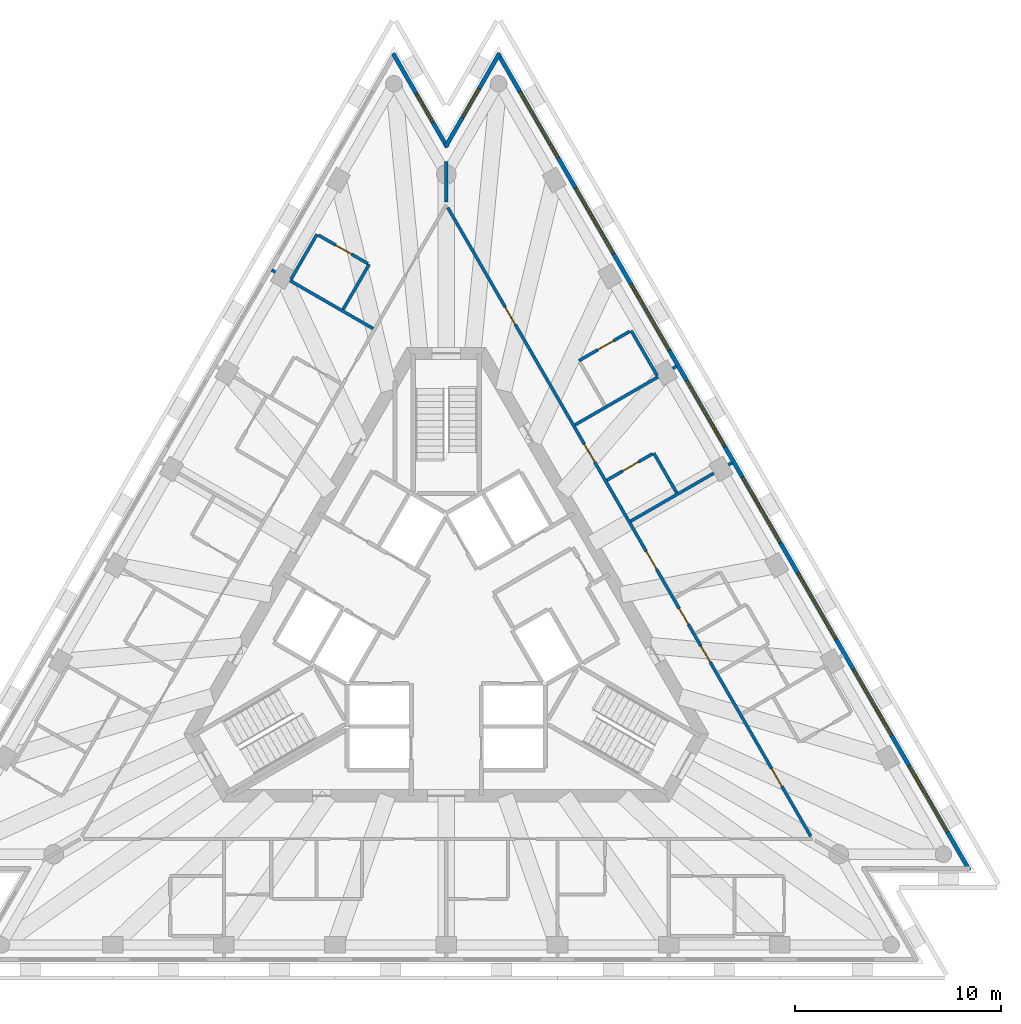
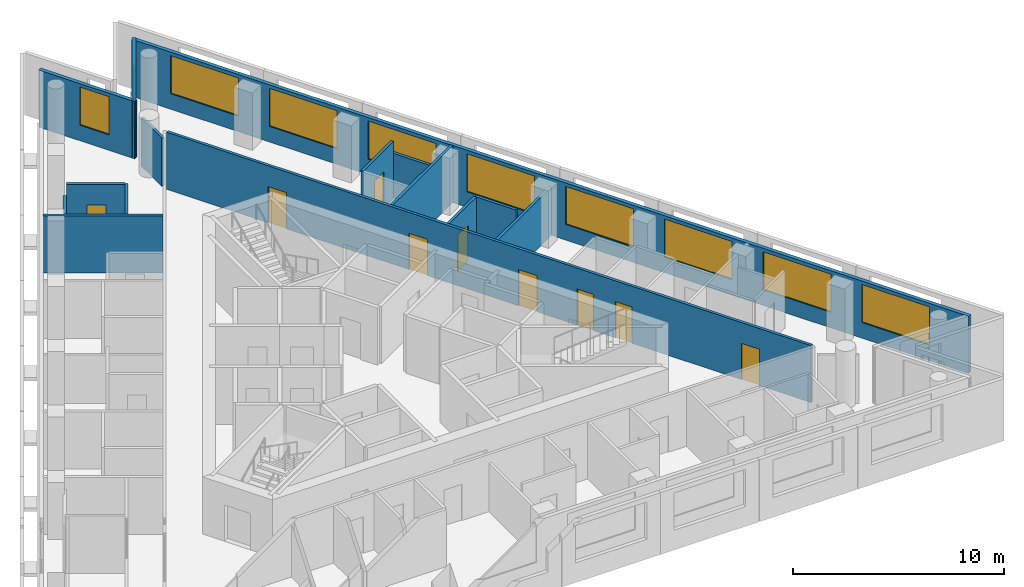
# One storey, part 7 of 10: 15 walls, 10 windows, 9 doors, 19 openings.
"""IFC4 building model written with IfcOpenShell, lengths in metres."""

from ifc_helpers import new_model, si_unit, direction, frame, frame_2d, origin, place, context, subcontext, project, spatial, rectangle, extrude, material, layer, layer_set, layer_usage, type_object, element, fill, save


model = new_model("IFC4")

# Units and contexts
model_context = context("Model", 3, precision=1e-05, world=origin(), true_north=direction((0.0, 1.0)))
body_context = subcontext(model_context, "Body", "Model", "MODEL_VIEW")
ifc_project = project(units=[si_unit("LENGTHUNIT", "METRE"), si_unit("AREAUNIT", "SQUARE_METRE"), si_unit("VOLUMEUNIT", "CUBIC_METRE"), si_unit("PLANEANGLEUNIT", "RADIAN"), si_unit("MASSUNIT", "GRAM", prefix="KILO")], contexts=[model_context])

# Site, building, storey
site_placement = place(None, origin())
site = spatial("IfcSite", under=ifc_project, at=site_placement, CompositionType="ELEMENT")
building_placement = place(site_placement, origin())
building = spatial("IfcBuilding", under=site, at=building_placement, Name="Triada Interchange Tower", CompositionType="ELEMENT")
storey_placement = place(building_placement, frame((0.0, 0.0, 289.89990234375)))
storey = spatial("IfcBuildingStorey", under=building, at=storey_placement, Name="L68", CompositionType="ELEMENT", Elevation=289.89990234375)

# Wall, openings, windows
ifc_material_1 = material(Name="Cement board")
ifc_layer_1 = layer(ifc_material_1, 0.02001953125, Name="Cement board cladding")
ifc_material_2 = material(Name="Sheathing board")
ifc_layer_2 = layer(ifc_material_2, 0.014892578125, Name="Sheathing board")
ifc_material_3 = material(Name="Mineral wool")
ifc_layer_3 = layer(ifc_material_3, 0.14990234375, Name="Mineral wool between steel studs")
ifc_material_4 = material(Name="Gypsum board")
ifc_layer_4 = layer(ifc_material_4, 0.014892578125, Name="Plasterboard lining")
ifc_layer_set_1 = layer_set([ifc_layer_1, ifc_layer_2, ifc_layer_3, ifc_layer_4], Name="External wall 200")
ifc_layer_usage = layer_usage(ifc_layer_set_1, "AXIS2", "POSITIVE", -0.10009765625)
wall_type_1 = type_object("IfcWallType", Name="External wall 200", PredefinedType="ELEMENTEDWALL", material=ifc_layer_set_1)
wall_1_placement = place(storey_placement, frame((25.375, -11.77001953125, 0.0), z_axis=(0.0, 0.0, 1.0), x_axis=(-0.500008134474, 0.866020707292, 0.0)))
wall_1 = element("IfcWall", 1, at=wall_1_placement, inside=storey, type_object=wall_type_1, material=ifc_layer_usage, Name="External wall L68 NE", PredefinedType="ELEMENTEDWALL", context=body_context, shape_type="SweptSolid", body=[
    extrude(rectangle(XDim=45.741455078125, YDim=0.199951171875, at=frame_2d((22.87060546875, 0.0))), origin(), (0.0, 0.0, 1.0), 3.300048828125),
])
opening_1_placement = place(wall_1_placement, frame((2.14990234375, 0.0, 0.89990234375)))
opening_1 = element("IfcOpeningElement", 2, at=opening_1_placement, cuts=wall_1, Name="Opening WD21", PredefinedType="OPENING", context=body_context, shape_type="SweptSolid", body=[
    extrude(rectangle(XDim=3.699951171875, YDim=2.199951171875, at=frame_2d((1.85009765625, 1.10009765625))), frame((0.0, 0.10986328125, 0.0), z_axis=(0.0, -1.0, 0.0), x_axis=(1.0, 0.0, 0.0)), (0.0, 0.0, 1.0), 0.219970703125),
])
opening_2_placement = place(wall_1_placement, frame((7.5439453125, 0.0, 0.89990234375)))
opening_2 = element("IfcOpeningElement", 3, at=opening_2_placement, cuts=wall_1, Name="Opening WD22", PredefinedType="OPENING", context=body_context, shape_type="SweptSolid", body=[
    extrude(rectangle(XDim=3.699951171875, YDim=2.199951171875, at=frame_2d((1.85009765625, 1.10009765625))), frame((0.0, 0.10986328125, 0.0), z_axis=(0.0, -1.0, 0.0), x_axis=(1.0, 0.0, 0.0)), (0.0, 0.0, 1.0), 0.219970703125),
])
opening_3_placement = place(wall_1_placement, frame((12.93896484375, 0.0, 0.89990234375)))
opening_3 = element("IfcOpeningElement", 4, at=opening_3_placement, cuts=wall_1, Name="Opening WD23", PredefinedType="OPENING", context=body_context, shape_type="SweptSolid", body=[
    extrude(rectangle(XDim=3.699951171875, YDim=2.199951171875, at=frame_2d((1.85009765625, 1.10009765625))), frame((0.0, 0.10986328125, 0.0), z_axis=(0.0, -1.0, 0.0), x_axis=(1.0, 0.0, 0.0)), (0.0, 0.0, 1.0), 0.219970703125),
])
opening_4_placement = place(wall_1_placement, frame((18.3330078125, 0.0, 0.89990234375)))
opening_4 = element("IfcOpeningElement", 5, at=opening_4_placement, cuts=wall_1, Name="Opening WD24", PredefinedType="OPENING", context=body_context, shape_type="SweptSolid", body=[
    extrude(rectangle(XDim=3.699951171875, YDim=2.199951171875, at=frame_2d((1.85009765625, 1.10009765625))), frame((0.0, 0.10986328125, 0.0), z_axis=(0.0, -1.0, 0.0), x_axis=(1.0, 0.0, 0.0)), (0.0, 0.0, 1.0), 0.219970703125),
])
opening_5_placement = place(wall_1_placement, frame((23.72802734375, 0.0, 0.89990234375)))
opening_5 = element("IfcOpeningElement", 6, at=opening_5_placement, cuts=wall_1, Name="Opening WD25", PredefinedType="OPENING", context=body_context, shape_type="SweptSolid", body=[
    extrude(rectangle(XDim=3.699951171875, YDim=2.199951171875, at=frame_2d((1.85009765625, 1.10009765625))), frame((0.0, 0.10986328125, 0.0), z_axis=(0.0, -1.0, 0.0), x_axis=(1.0, 0.0, 0.0)), (0.0, 0.0, 1.0), 0.219970703125),
])
opening_6_placement = place(wall_1_placement, frame((29.1220703125, 0.0, 0.89990234375)))
opening_6 = element("IfcOpeningElement", 7, at=opening_6_placement, cuts=wall_1, Name="Opening WD26", PredefinedType="OPENING", context=body_context, shape_type="SweptSolid", body=[
    extrude(rectangle(XDim=3.699951171875, YDim=2.199951171875, at=frame_2d((1.85009765625, 1.10009765625))), frame((0.0, 0.10986328125, 0.0), z_axis=(0.0, -1.0, 0.0), x_axis=(1.0, 0.0, 0.0)), (0.0, 0.0, 1.0), 0.219970703125),
])
opening_7_placement = place(wall_1_placement, frame((34.51708984375, 0.0, 0.89990234375)))
opening_7 = element("IfcOpeningElement", 8, at=opening_7_placement, cuts=wall_1, Name="Opening WD27", PredefinedType="OPENING", context=body_context, shape_type="SweptSolid", body=[
    extrude(rectangle(XDim=3.699951171875, YDim=2.199951171875, at=frame_2d((1.85009765625, 1.10009765625))), frame((0.0, 0.10986328125, 0.0), z_axis=(0.0, -1.0, 0.0), x_axis=(1.0, 0.0, 0.0)), (0.0, 0.0, 1.0), 0.219970703125),
])
opening_8_placement = place(wall_1_placement, frame((39.910888671875, 0.0, 0.89990234375)))
opening_8 = element("IfcOpeningElement", 9, at=opening_8_placement, cuts=wall_1, Name="Opening WD28", PredefinedType="OPENING", context=body_context, shape_type="SweptSolid", body=[
    extrude(rectangle(XDim=3.699951171875, YDim=2.199951171875, at=frame_2d((1.85009765625, 1.10009765625))), frame((0.0, 0.10986328125, 0.0), z_axis=(0.0, -1.0, 0.0), x_axis=(1.0, 0.0, 0.0)), (0.0, 0.0, 1.0), 0.219970703125),
])
ifc_material_5 = material(Name="Double glazed aluminium window", Category="aluminium")
window_type_1 = type_object("IfcWindowType", Name="Ribbon window D face", PartitioningType="SINGLE_PANEL", PredefinedType="WINDOW", material=ifc_material_5)
window_1_placement = place(opening_1_placement, origin())
window_1 = element("IfcWindow", 10, at=window_1_placement, inside=storey, type_object=window_type_1, Name="Window L68 NE 1", OverallHeight=2.199951171875, OverallWidth=3.699951171875, PartitioningType="SINGLE_PANEL", PredefinedType="WINDOW", context=body_context, shape_type="SweptSolid", body=[
    extrude(rectangle(XDim=3.699951171875, YDim=2.199951171875, at=frame_2d((1.85009765625, 1.10009765625))), frame((0.0, 0.030029296875, 0.0), z_axis=(0.0, -1.0, 0.0), x_axis=(1.0, 0.0, 0.0)), (0.0, 0.0, 1.0), 0.06005859375),
])
fill(opening_1, window_1)
window_2_placement = place(opening_2_placement, origin())
window_2 = element("IfcWindow", 11, at=window_2_placement, inside=storey, type_object=window_type_1, Name="Window L68 NE 2", OverallHeight=2.199951171875, OverallWidth=3.699951171875, PartitioningType="SINGLE_PANEL", PredefinedType="WINDOW", context=body_context, shape_type="SweptSolid", body=[
    extrude(rectangle(XDim=3.699951171875, YDim=2.199951171875, at=frame_2d((1.85009765625, 1.10009765625))), frame((0.0, 0.030029296875, 0.0), z_axis=(0.0, -1.0, 0.0), x_axis=(1.0, 0.0, 0.0)), (0.0, 0.0, 1.0), 0.06005859375),
])
fill(opening_2, window_2)
window_3_placement = place(opening_3_placement, origin())
window_3 = element("IfcWindow", 12, at=window_3_placement, inside=storey, type_object=window_type_1, Name="Window L68 NE 3", OverallHeight=2.199951171875, OverallWidth=3.699951171875, PartitioningType="SINGLE_PANEL", PredefinedType="WINDOW", context=body_context, shape_type="SweptSolid", body=[
    extrude(rectangle(XDim=3.699951171875, YDim=2.199951171875, at=frame_2d((1.85009765625, 1.10009765625))), frame((0.0, 0.030029296875, 0.0), z_axis=(0.0, -1.0, 0.0), x_axis=(1.0, 0.0, 0.0)), (0.0, 0.0, 1.0), 0.06005859375),
])
fill(opening_3, window_3)
window_4_placement = place(opening_4_placement, origin())
window_4 = element("IfcWindow", 13, at=window_4_placement, inside=storey, type_object=window_type_1, Name="Window L68 NE 4", OverallHeight=2.199951171875, OverallWidth=3.699951171875, PartitioningType="SINGLE_PANEL", PredefinedType="WINDOW", context=body_context, shape_type="SweptSolid", body=[
    extrude(rectangle(XDim=3.699951171875, YDim=2.199951171875, at=frame_2d((1.85009765625, 1.10009765625))), frame((0.0, 0.030029296875, 0.0), z_axis=(0.0, -1.0, 0.0), x_axis=(1.0, 0.0, 0.0)), (0.0, 0.0, 1.0), 0.06005859375),
])
fill(opening_4, window_4)
window_5_placement = place(opening_5_placement, origin())
window_5 = element("IfcWindow", 14, at=window_5_placement, inside=storey, type_object=window_type_1, Name="Window L68 NE 5", OverallHeight=2.199951171875, OverallWidth=3.699951171875, PartitioningType="SINGLE_PANEL", PredefinedType="WINDOW", context=body_context, shape_type="SweptSolid", body=[
    extrude(rectangle(XDim=3.699951171875, YDim=2.199951171875, at=frame_2d((1.85009765625, 1.10009765625))), frame((0.0, 0.030029296875, 0.0), z_axis=(0.0, -1.0, 0.0), x_axis=(1.0, 0.0, 0.0)), (0.0, 0.0, 1.0), 0.06005859375),
])
fill(opening_5, window_5)
window_6_placement = place(opening_6_placement, origin())
window_6 = element("IfcWindow", 15, at=window_6_placement, inside=storey, type_object=window_type_1, Name="Window L68 NE 6", OverallHeight=2.199951171875, OverallWidth=3.699951171875, PartitioningType="SINGLE_PANEL", PredefinedType="WINDOW", context=body_context, shape_type="SweptSolid", body=[
    extrude(rectangle(XDim=3.699951171875, YDim=2.199951171875, at=frame_2d((1.85009765625, 1.10009765625))), frame((0.0, 0.030029296875, 0.0), z_axis=(0.0, -1.0, 0.0), x_axis=(1.0, 0.0, 0.0)), (0.0, 0.0, 1.0), 0.06005859375),
])
fill(opening_6, window_6)
window_7_placement = place(opening_7_placement, origin())
window_7 = element("IfcWindow", 16, at=window_7_placement, inside=storey, type_object=window_type_1, Name="Window L68 NE 7", OverallHeight=2.199951171875, OverallWidth=3.699951171875, PartitioningType="SINGLE_PANEL", PredefinedType="WINDOW", context=body_context, shape_type="SweptSolid", body=[
    extrude(rectangle(XDim=3.699951171875, YDim=2.199951171875, at=frame_2d((1.85009765625, 1.10009765625))), frame((0.0, 0.030029296875, 0.0), z_axis=(0.0, -1.0, 0.0), x_axis=(1.0, 0.0, 0.0)), (0.0, 0.0, 1.0), 0.06005859375),
])
fill(opening_7, window_7)
window_8_placement = place(opening_8_placement, origin())
window_8 = element("IfcWindow", 17, at=window_8_placement, inside=storey, type_object=window_type_1, Name="Window L68 NE 8", OverallHeight=2.199951171875, OverallWidth=3.699951171875, PartitioningType="SINGLE_PANEL", PredefinedType="WINDOW", context=body_context, shape_type="SweptSolid", body=[
    extrude(rectangle(XDim=3.699951171875, YDim=2.199951171875, at=frame_2d((1.85009765625, 1.10009765625))), frame((0.0, 0.030029296875, 0.0), z_axis=(0.0, -1.0, 0.0), x_axis=(1.0, 0.0, 0.0)), (0.0, 0.0, 1.0), 0.06005859375),
])
fill(opening_8, window_8)

# Wall, opening, window
wall_2_placement = place(storey_placement, frame((2.583984375, 27.860107421875, 0.0), z_axis=(0.0, 0.0, 1.0), x_axis=(-0.499832707108, -0.866121968839, 0.0)))
wall_2 = element("IfcWall", 18, at=wall_2_placement, inside=storey, type_object=wall_type_1, material=ifc_layer_usage, Name="External wall L68 N-1", PredefinedType="ELEMENTEDWALL", context=body_context, shape_type="SweptSolid", body=[
    extrude(rectangle(XDim=5.239501953125, YDim=0.199951171875, at=frame_2d((2.61962890625, 0.0))), origin(), (0.0, 0.0, 1.0), 3.300048828125),
])
opening_9_placement = place(wall_2_placement, frame((1.989990234375, 0.0, 0.89990234375)))
opening_9 = element("IfcOpeningElement", 19, at=opening_9_placement, cuts=wall_2, Name="Opening WD29", PredefinedType="OPENING", context=body_context, shape_type="SweptSolid", body=[
    extrude(rectangle(XDim=1.60009765625, YDim=2.199951171875, at=frame_2d((0.800048828125, 1.10009765625))), frame((0.0, 0.10986328125, 0.0), z_axis=(0.0, -1.0, 0.0), x_axis=(1.0, 0.0, 0.0)), (0.0, 0.0, 1.0), 0.219970703125),
])
window_type_2 = type_object("IfcWindowType", Name="Ribbon window D pocket", PartitioningType="SINGLE_PANEL", PredefinedType="WINDOW", material=ifc_material_5)
window_9_placement = place(opening_9_placement, origin())
window_9 = element("IfcWindow", 20, at=window_9_placement, inside=storey, type_object=window_type_2, Name="Window L68 N-1 1", OverallHeight=2.199951171875, OverallWidth=1.60009765625, PartitioningType="SINGLE_PANEL", PredefinedType="WINDOW", context=body_context, shape_type="SweptSolid", body=[
    extrude(rectangle(XDim=1.60009765625, YDim=2.199951171875, at=frame_2d((0.800048828125, 1.10009765625))), frame((0.0, 0.030029296875, 0.0), z_axis=(0.0, -1.0, 0.0), x_axis=(1.0, 0.0, 0.0)), (0.0, 0.0, 1.0), 0.06005859375),
])
fill(opening_9, window_9)

wall_3_placement = place(storey_placement, frame((0.044921875, 23.304931640625, 0.0), z_axis=(0.0, 0.0, 1.0), x_axis=(-0.499832707108, 0.866121968839, 0.0)))
wall_3 = element("IfcWall", 21, at=wall_3_placement, inside=storey, type_object=wall_type_1, material=ifc_layer_usage, Name="External wall L68 N-2", PredefinedType="ELEMENTEDWALL", context=body_context, shape_type="SweptSolid", body=[
    extrude(rectangle(XDim=5.239501953125, YDim=0.199951171875, at=frame_2d((2.61962890625, 0.0))), origin(), (0.0, 0.0, 1.0), 3.300048828125),
])
opening_10_placement = place(wall_3_placement, frame((1.389892578125, 0.0, 0.89990234375)))
opening_10 = element("IfcOpeningElement", 22, at=opening_10_placement, cuts=wall_3, Name="Opening WD30", PredefinedType="OPENING", context=body_context, shape_type="SweptSolid", body=[
    extrude(rectangle(XDim=1.60009765625, YDim=2.199951171875, at=frame_2d((0.800048828125, 1.10009765625))), frame((0.0, 0.10986328125, 0.0), z_axis=(0.0, -1.0, 0.0), x_axis=(1.0, 0.0, 0.0)), (0.0, 0.0, 1.0), 0.219970703125),
])
window_10_placement = place(opening_10_placement, origin())
window_10 = element("IfcWindow", 23, at=window_10_placement, inside=storey, type_object=window_type_2, Name="Window L68 N-2 1", OverallHeight=2.199951171875, OverallWidth=1.60009765625, PartitioningType="SINGLE_PANEL", PredefinedType="WINDOW", context=body_context, shape_type="SweptSolid", body=[
    extrude(rectangle(XDim=1.60009765625, YDim=2.199951171875, at=frame_2d((0.800048828125, 1.10009765625))), frame((0.0, 0.030029296875, 0.0), z_axis=(0.0, -1.0, 0.0), x_axis=(1.0, 0.0, 0.0)), (0.0, 0.0, 1.0), 0.06005859375),
])
fill(opening_10, window_10)

# Walls
ifc_material_6 = material(Name="Gypsum board partition")
ifc_layer_5 = layer(ifc_material_6, 0.14990234375)
ifc_layer_set_2 = layer_set([ifc_layer_5], Name="PARTITION 150 EI 180")
wall_type_2 = type_object("IfcWallType", Name="PARTITION 150 EI 180", PredefinedType="PARTITIONING", material=ifc_layer_set_2)
wall_4_placement = place(storey_placement, frame((8.94189453125, 5.1630859375, 0.0), z_axis=(0.0, 0.0, 1.0), x_axis=(0.86606758311, 0.499926936147, 0.0)))
element("IfcWall", 24, at=wall_4_placement, inside=storey, type_object=wall_type_2, Name="Wall L68 2", PredefinedType="PARTITIONING", context=body_context, shape_type="SweptSolid", body=[
    extrude(rectangle(XDim=5.684326171875, YDim=0.14990234375, at=frame_2d((2.84228515625, 0.0))), origin(), (0.0, 0.0, 1.0), 2.800048828125),
])
wall_5_placement = place(storey_placement, frame((-8.470947265625, 17.347900390625, 0.0), z_axis=(0.0, 0.0, 1.0), x_axis=(0.86596385927, -0.500106583079, 0.0)))
element("IfcWall", 25, at=wall_5_placement, inside=storey, type_object=wall_type_2, Name="Wall L68 11", PredefinedType="PARTITIONING", context=body_context, shape_type="SweptSolid", body=[
    extrude(rectangle(XDim=5.684814453125, YDim=0.14990234375, at=frame_2d((2.84228515625, 0.0))), origin(), (0.0, 0.0, 1.0), 3.300048828125),
])
wall_6_placement = place(storey_placement, frame((0.0, 20.64990234375, 0.0), z_axis=(0.0, 0.0, 1.0), x_axis=(0.0, 1.0, 0.0)))
element("IfcWall", 26, at=wall_6_placement, inside=storey, type_object=wall_type_2, Name="Wall L68 17", PredefinedType="PARTITIONING", context=body_context, shape_type="SweptSolid", body=[
    extrude(rectangle(XDim=1.953125, YDim=0.14990234375, at=frame_2d((0.9765625, 0.0))), origin(), (0.0, 0.0, 1.0), 2.800048828125),
])

# Wall, openings, doors
wall_7_placement = place(storey_placement, frame((0.074951171875, 20.3701171875, 0.0), z_axis=(0.0, 0.0, 1.0), x_axis=(0.500009775255, -0.866019759965, 0.0)))
wall_7 = element("IfcWall", 27, at=wall_7_placement, inside=storey, type_object=wall_type_2, Name="Wall L68 18", PredefinedType="PARTITIONING", context=body_context, shape_type="SweptSolid", body=[
    extrude(rectangle(XDim=35.207275390625, YDim=0.14990234375, at=frame_2d((17.603515625, 0.0))), origin(), (0.0, 0.0, 1.0), 3.300048828125),
])
opening_11_placement = place(wall_7_placement, frame((31.406982421875, 0.0, 0.0)))
opening_11 = element("IfcOpeningElement", 28, at=opening_11_placement, cuts=wall_7, Name="Opening D68-24", PredefinedType="OPENING", context=body_context, shape_type="SweptSolid", body=[
    extrude(rectangle(XDim=1.0, YDim=2.10009765625, at=frame_2d((0.5, 1.050048828125))), frame((0.0, 0.0849609375, 0.0), z_axis=(0.0, -1.0, 0.0), x_axis=(1.0, 0.0, 0.0)), (0.0, 0.0, 1.0), 0.169921875),
])
opening_12_placement = place(wall_7_placement, frame((19.242919921875, 0.0, 0.0)))
opening_12 = element("IfcOpeningElement", 29, at=opening_12_placement, cuts=wall_7, Name="Opening D68-26", PredefinedType="OPENING", context=body_context, shape_type="SweptSolid", body=[
    extrude(rectangle(XDim=1.0, YDim=2.10009765625, at=frame_2d((0.5, 1.050048828125))), frame((0.0, 0.0849609375, 0.0), z_axis=(0.0, -1.0, 0.0), x_axis=(1.0, 0.0, 0.0)), (0.0, 0.0, 1.0), 0.169921875),
])
opening_13_placement = place(wall_7_placement, frame((24.54296875, 0.0, 0.0)))
opening_13 = element("IfcOpeningElement", 30, at=opening_13_placement, cuts=wall_7, Name="Opening D68-28", PredefinedType="OPENING", context=body_context, shape_type="SweptSolid", body=[
    extrude(rectangle(XDim=0.89990234375, YDim=2.10009765625, at=frame_2d((0.449951171875, 1.050048828125))), frame((0.0, 0.0849609375, 0.0), z_axis=(0.0, -1.0, 0.0), x_axis=(1.0, 0.0, 0.0)), (0.0, 0.0, 1.0), 0.169921875),
])
opening_14_placement = place(wall_7_placement, frame((22.443115234375, 0.0, 0.0)))
opening_14 = element("IfcOpeningElement", 31, at=opening_14_placement, cuts=wall_7, Name="Opening D68-29", PredefinedType="OPENING", context=body_context, shape_type="SweptSolid", body=[
    extrude(rectangle(XDim=0.89990234375, YDim=2.10009765625, at=frame_2d((0.449951171875, 1.050048828125))), frame((0.0, 0.0849609375, 0.0), z_axis=(0.0, -1.0, 0.0), x_axis=(1.0, 0.0, 0.0)), (0.0, 0.0, 1.0), 0.169921875),
])
opening_15_placement = place(wall_7_placement, frame((13.2529296875, 0.0, 0.0)))
opening_15 = element("IfcOpeningElement", 32, at=opening_15_placement, cuts=wall_7, Name="Opening D68-30", PredefinedType="OPENING", context=body_context, shape_type="SweptSolid", body=[
    extrude(rectangle(XDim=1.0, YDim=2.10009765625, at=frame_2d((0.5, 1.050048828125))), frame((0.0, 0.0849609375, 0.0), z_axis=(0.0, -1.0, 0.0), x_axis=(1.0, 0.0, 0.0)), (0.0, 0.0, 1.0), 0.169921875),
])
opening_16_placement = place(wall_7_placement, frame((5.55908203125, 0.0, 0.0)))
opening_16 = element("IfcOpeningElement", 33, at=opening_16_placement, cuts=wall_7, Name="Opening D68-32", PredefinedType="OPENING", context=body_context, shape_type="SweptSolid", body=[
    extrude(rectangle(XDim=1.0, YDim=2.10009765625, at=frame_2d((0.5, 1.050048828125))), frame((0.0, 0.0849609375, 0.0), z_axis=(0.0, -1.0, 0.0), x_axis=(1.0, 0.0, 0.0)), (0.0, 0.0, 1.0), 0.169921875),
])
ifc_material_7 = material(Name="Steel S235 door leaf", Category="steel")
door_type_1 = type_object("IfcDoorType", Name="GUEST ROOM DOOR 1000 EI2 90-C5S200", OperationType="NOTDEFINED", PredefinedType="DOOR", material=ifc_material_7)
door_1_placement = place(opening_11_placement, origin())
door_1 = element("IfcDoor", 34, at=door_1_placement, inside=storey, type_object=door_type_1, Name="Door D68-24 L68", OperationType="SINGLE_SWING_RIGHT", OverallHeight=2.10009765625, OverallWidth=1.0, PredefinedType="DOOR", context=body_context, shape_type="SweptSolid", body=[
    extrude(rectangle(XDim=1.0, YDim=2.10009765625, at=frame_2d((0.5, 1.050048828125))), frame((0.0, 0.02490234375, 0.0), z_axis=(0.0, -1.0, 0.0), x_axis=(1.0, 0.0, 0.0)), (0.0, 0.0, 1.0), 0.050048828125),
])
fill(opening_11, door_1)
door_2_placement = place(opening_12_placement, origin())
door_2 = element("IfcDoor", 35, at=door_2_placement, inside=storey, type_object=door_type_1, Name="Door D68-26 L68", OperationType="SINGLE_SWING_RIGHT", OverallHeight=2.10009765625, OverallWidth=1.0, PredefinedType="DOOR", context=body_context, shape_type="SweptSolid", body=[
    extrude(rectangle(XDim=1.0, YDim=2.10009765625, at=frame_2d((0.5, 1.050048828125))), frame((0.0, 0.02490234375, 0.0), z_axis=(0.0, -1.0, 0.0), x_axis=(1.0, 0.0, 0.0)), (0.0, 0.0, 1.0), 0.050048828125),
])
fill(opening_12, door_2)
door_3_placement = place(opening_15_placement, origin())
door_3 = element("IfcDoor", 36, at=door_3_placement, inside=storey, type_object=door_type_1, Name="Door D68-30 L68", OperationType="SINGLE_SWING_RIGHT", OverallHeight=2.10009765625, OverallWidth=1.0, PredefinedType="DOOR", context=body_context, shape_type="SweptSolid", body=[
    extrude(rectangle(XDim=1.0, YDim=2.10009765625, at=frame_2d((0.5, 1.050048828125))), frame((0.0, 0.02490234375, 0.0), z_axis=(0.0, -1.0, 0.0), x_axis=(1.0, 0.0, 0.0)), (0.0, 0.0, 1.0), 0.050048828125),
])
fill(opening_15, door_3)
door_4_placement = place(opening_16_placement, origin())
door_4 = element("IfcDoor", 37, at=door_4_placement, inside=storey, type_object=door_type_1, Name="Door D68-32 L68", OperationType="SINGLE_SWING_LEFT", OverallHeight=2.10009765625, OverallWidth=1.0, PredefinedType="DOOR", context=body_context, shape_type="SweptSolid", body=[
    extrude(rectangle(XDim=1.0, YDim=2.10009765625, at=frame_2d((0.5, 1.050048828125))), frame((0.0, 0.02490234375, 0.0), z_axis=(0.0, -1.0, 0.0), x_axis=(1.0, 0.0, 0.0)), (0.0, 0.0, 1.0), 0.050048828125),
])
fill(opening_16, door_4)
door_type_2 = type_object("IfcDoorType", Name="ROOM DOOR 900 EI2 90-C5S200", OperationType="NOTDEFINED", PredefinedType="DOOR", material=ifc_material_7)
door_5_placement = place(opening_14_placement, origin())
door_5 = element("IfcDoor", 38, at=door_5_placement, inside=storey, type_object=door_type_2, Name="Door D68-29 L68", OperationType="SINGLE_SWING_RIGHT", OverallHeight=2.10009765625, OverallWidth=0.89990234375, PredefinedType="DOOR", context=body_context, shape_type="SweptSolid", body=[
    extrude(rectangle(XDim=0.89990234375, YDim=2.10009765625, at=frame_2d((0.449951171875, 1.050048828125))), frame((0.0, 0.02490234375, 0.0), z_axis=(0.0, -1.0, 0.0), x_axis=(1.0, 0.0, 0.0)), (0.0, 0.0, 1.0), 0.050048828125),
])
fill(opening_14, door_5)
door_type_3 = type_object("IfcDoorType", Name="SERVICE DOOR 900 EI2 90-C5S200", OperationType="NOTDEFINED", PredefinedType="DOOR", material=ifc_material_7)
door_6_placement = place(opening_13_placement, origin())
door_6 = element("IfcDoor", 39, at=door_6_placement, inside=storey, type_object=door_type_3, Name="Door D68-28 L68", OperationType="SINGLE_SWING_LEFT", OverallHeight=2.10009765625, OverallWidth=0.89990234375, PredefinedType="DOOR", context=body_context, shape_type="SweptSolid", body=[
    extrude(rectangle(XDim=0.89990234375, YDim=2.10009765625, at=frame_2d((0.449951171875, 1.050048828125))), frame((0.0, 0.02490234375, 0.0), z_axis=(0.0, -1.0, 0.0), x_axis=(1.0, 0.0, 0.0)), (0.0, 0.0, 1.0), 0.050048828125),
])
fill(opening_13, door_6)

# Walls
wall_8_placement = place(storey_placement, frame((6.243896484375, 9.833984375, 0.0), z_axis=(0.0, 0.0, 1.0), x_axis=(0.866017549727, 0.50001360338, 0.0)))
element("IfcWall", 40, at=wall_8_placement, inside=storey, type_object=wall_type_2, Name="Wall L68 20", PredefinedType="PARTITIONING", context=body_context, shape_type="SweptSolid", body=[
    extrude(rectangle(XDim=5.685791015625, YDim=0.14990234375, at=frame_2d((2.8427734375, 0.0))), origin(), (0.0, 0.0, 1.0), 3.300048828125),
])
ifc_layer_6 = layer(ifc_material_6, 0.14990234375)
ifc_layer_set_3 = layer_set([ifc_layer_6], Name="PARTITION 150 EI 90")
wall_type_3 = type_object("IfcWallType", Name="PARTITION 150 EI 90", PredefinedType="PARTITIONING", material=ifc_layer_set_3)
wall_9_placement = place(storey_placement, frame((-5.00390625, 15.43310546875, 0.0), z_axis=(0.0, 0.0, 1.0), x_axis=(0.500079482444, 0.865979509711, 0.0)))
element("IfcWall", 41, at=wall_9_placement, inside=storey, type_object=wall_type_3, Name="Wall L68 32", PredefinedType="PARTITIONING", context=body_context, shape_type="SweptSolid", body=[
    extrude(rectangle(XDim=2.525390625, YDim=0.14990234375, at=frame_2d((1.2626953125, 0.0))), origin(), (0.0, 0.0, 1.0), 3.300048828125),
])
wall_10_placement = place(storey_placement, frame((-7.532958984375, 16.89306640625, 0.0), z_axis=(0.0, 0.0, 1.0), x_axis=(0.500079482444, 0.865979509711, 0.0)))
element("IfcWall", 42, at=wall_10_placement, inside=storey, type_object=wall_type_3, Name="Wall L68 34", PredefinedType="PARTITIONING", context=body_context, shape_type="SweptSolid", body=[
    extrude(rectangle(XDim=2.525390625, YDim=0.14990234375, at=frame_2d((1.2626953125, 0.0))), origin(), (0.0, 0.0, 1.0), 2.60009765625),
])

# Wall, opening, door
wall_11_placement = place(storey_placement, frame((-6.205078125, 19.0419921875, 0.0), z_axis=(0.0, 0.0, 1.0), x_axis=(0.866049104564, -0.499958946799, 0.0)))
wall_11 = element("IfcWall", 43, at=wall_11_placement, inside=storey, type_object=wall_type_3, Name="Wall L68 49", PredefinedType="PARTITIONING", context=body_context, shape_type="SweptSolid", body=[
    extrude(rectangle(XDim=2.770263671875, YDim=0.14990234375, at=frame_2d((1.38525390625, 0.0))), origin(), (0.0, 0.0, 1.0), 3.300048828125),
])
opening_17_placement = place(wall_11_placement, frame((0.97509765625, 0.0, 0.0)))
opening_17 = element("IfcOpeningElement", 44, at=opening_17_placement, cuts=wall_11, Name="Opening D68-35", PredefinedType="OPENING", context=body_context, shape_type="SweptSolid", body=[
    extrude(rectangle(XDim=0.89990234375, YDim=2.10009765625, at=frame_2d((0.449951171875, 1.050048828125))), frame((0.0, 0.0849609375, 0.0), z_axis=(0.0, -1.0, 0.0), x_axis=(1.0, 0.0, 0.0)), (0.0, 0.0, 1.0), 0.169921875),
])
door_type_4 = type_object("IfcDoorType", Name="ROOM DOOR 900 EI2 45-C5S200", OperationType="NOTDEFINED", PredefinedType="DOOR", material=ifc_material_7)
door_7_placement = place(opening_17_placement, origin())
door_7 = element("IfcDoor", 45, at=door_7_placement, inside=storey, type_object=door_type_4, Name="Door D68-35 L68", OperationType="SINGLE_SWING_RIGHT", OverallHeight=2.10009765625, OverallWidth=0.89990234375, PredefinedType="DOOR", context=body_context, shape_type="SweptSolid", body=[
    extrude(rectangle(XDim=0.89990234375, YDim=2.10009765625, at=frame_2d((0.449951171875, 1.050048828125))), frame((0.0, 0.02490234375, 0.0), z_axis=(0.0, -1.0, 0.0), x_axis=(1.0, 0.0, 0.0)), (0.0, 0.0, 1.0), 0.050048828125),
])
fill(opening_17, door_7)

# Wall
wall_12_placement = place(storey_placement, frame((10.06494140625, 8.467041015625, 0.0), z_axis=(0.0, 0.0, 1.0), x_axis=(0.499833278392, -0.866121639155, 0.0)))
element("IfcWall", 46, at=wall_12_placement, inside=storey, type_object=wall_type_3, Name="Wall L68 53", PredefinedType="PARTITIONING", context=body_context, shape_type="SweptSolid", body=[
    extrude(rectangle(XDim=2.224853515625, YDim=0.14990234375, at=frame_2d((1.1123046875, 0.0))), origin(), (0.0, 0.0, 1.0), 3.300048828125),
])

# Wall, opening, door
wall_13_placement = place(storey_placement, frame((7.7919921875, 7.154052734375, 0.0), z_axis=(0.0, 0.0, 1.0), x_axis=(0.866006986733, 0.500031897912, 0.0)))
wall_13 = element("IfcWall", 47, at=wall_13_placement, inside=storey, type_object=wall_type_3, Name="Wall L68 55", PredefinedType="PARTITIONING", context=body_context, shape_type="SweptSolid", body=[
    extrude(rectangle(XDim=2.549560546875, YDim=0.14990234375, at=frame_2d((1.27490234375, 0.0))), origin(), (0.0, 0.0, 1.0), 3.300048828125),
])
opening_18_placement = place(wall_13_placement, frame((0.875, 0.0, 0.0)))
opening_18 = element("IfcOpeningElement", 48, at=opening_18_placement, cuts=wall_13, Name="Opening D68-31", PredefinedType="OPENING", context=body_context, shape_type="SweptSolid", body=[
    extrude(rectangle(XDim=0.89990234375, YDim=2.10009765625, at=frame_2d((0.449951171875, 1.050048828125))), frame((0.0, 0.0849609375, 0.0), z_axis=(0.0, -1.0, 0.0), x_axis=(1.0, 0.0, 0.0)), (0.0, 0.0, 1.0), 0.169921875),
])
door_8_placement = place(opening_18_placement, origin())
door_8 = element("IfcDoor", 49, at=door_8_placement, inside=storey, type_object=door_type_4, Name="Door D68-31 L68", OperationType="SINGLE_SWING_RIGHT", OverallHeight=2.10009765625, OverallWidth=0.89990234375, PredefinedType="DOOR", context=body_context, shape_type="SweptSolid", body=[
    extrude(rectangle(XDim=0.89990234375, YDim=2.10009765625, at=frame_2d((0.449951171875, 1.050048828125))), frame((0.0, 0.02490234375, 0.0), z_axis=(0.0, -1.0, 0.0), x_axis=(1.0, 0.0, 0.0)), (0.0, 0.0, 1.0), 0.050048828125),
])
fill(opening_18, door_8)

# Wall
wall_14_placement = place(storey_placement, frame((8.967041015625, 14.408935546875, 0.0), z_axis=(0.0, 0.0, 1.0), x_axis=(0.500079482444, -0.865979509711, 0.0)))
element("IfcWall", 50, at=wall_14_placement, inside=storey, type_object=wall_type_3, Name="Wall L68 56", PredefinedType="PARTITIONING", context=body_context, shape_type="SweptSolid", body=[
    extrude(rectangle(XDim=2.525390625, YDim=0.14990234375, at=frame_2d((1.2626953125, 0.0))), origin(), (0.0, 0.0, 1.0), 2.60009765625),
])

# Wall, opening, door
wall_15_placement = place(storey_placement, frame((6.43798828125, 12.948974609375, 0.0), z_axis=(0.0, 0.0, 1.0), x_axis=(0.866107001057, 0.499858642738, 0.0)))
wall_15 = element("IfcWall", 51, at=wall_15_placement, inside=storey, type_object=wall_type_3, Name="Wall L68 58", PredefinedType="PARTITIONING", context=body_context, shape_type="SweptSolid", body=[
    extrude(rectangle(XDim=2.844970703125, YDim=0.14990234375, at=frame_2d((1.42236328125, 0.0))), origin(), (0.0, 0.0, 1.0), 3.300048828125),
])
opening_19_placement = place(wall_15_placement, frame((1.050048828125, 0.0, 0.0)))
opening_19 = element("IfcOpeningElement", 52, at=opening_19_placement, cuts=wall_15, Name="Opening D68-33", PredefinedType="OPENING", context=body_context, shape_type="SweptSolid", body=[
    extrude(rectangle(XDim=0.89990234375, YDim=2.10009765625, at=frame_2d((0.449951171875, 1.050048828125))), frame((0.0, 0.0849609375, 0.0), z_axis=(0.0, -1.0, 0.0), x_axis=(1.0, 0.0, 0.0)), (0.0, 0.0, 1.0), 0.169921875),
])
door_9_placement = place(opening_19_placement, origin())
door_9 = element("IfcDoor", 53, at=door_9_placement, inside=storey, type_object=door_type_4, Name="Door D68-33 L68", OperationType="SINGLE_SWING_LEFT", OverallHeight=2.10009765625, OverallWidth=0.89990234375, PredefinedType="DOOR", context=body_context, shape_type="SweptSolid", body=[
    extrude(rectangle(XDim=0.89990234375, YDim=2.10009765625, at=frame_2d((0.449951171875, 1.050048828125))), frame((0.0, 0.02490234375, 0.0), z_axis=(0.0, -1.0, 0.0), x_axis=(1.0, 0.0, 0.0)), (0.0, 0.0, 1.0), 0.050048828125),
])
fill(opening_19, door_9)

save(model, "model.ifc")
